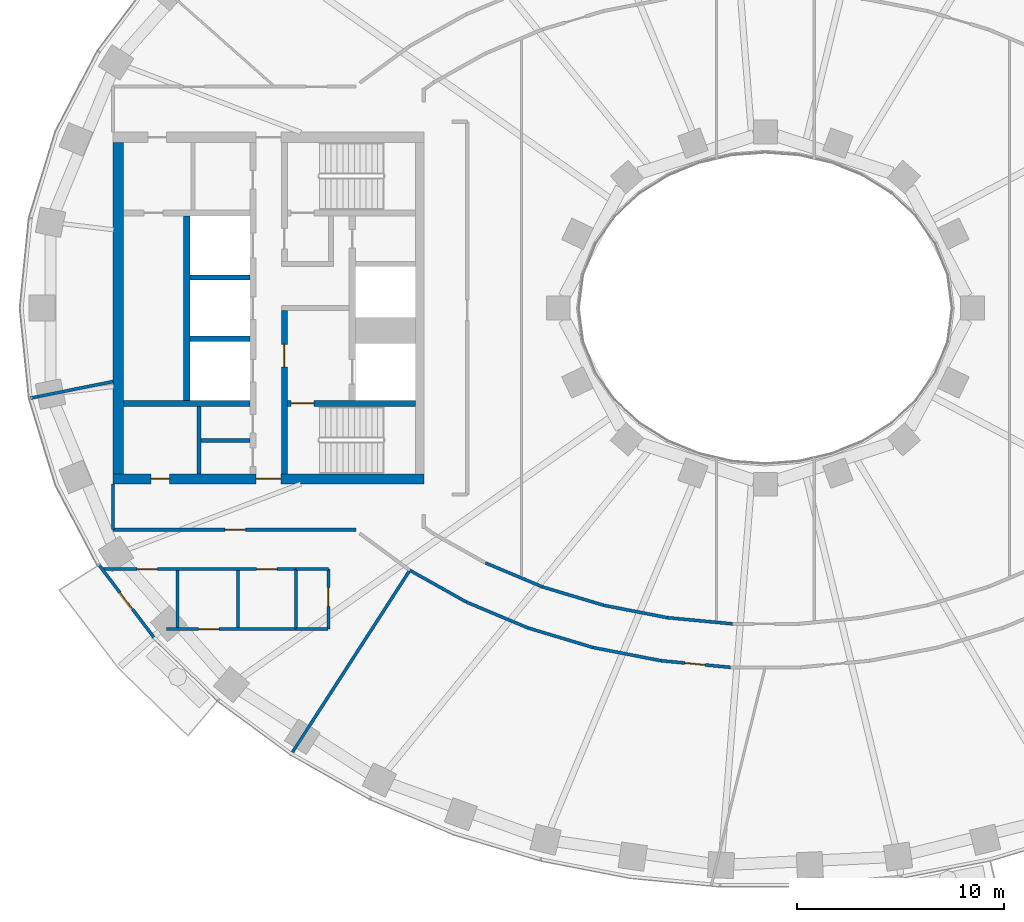
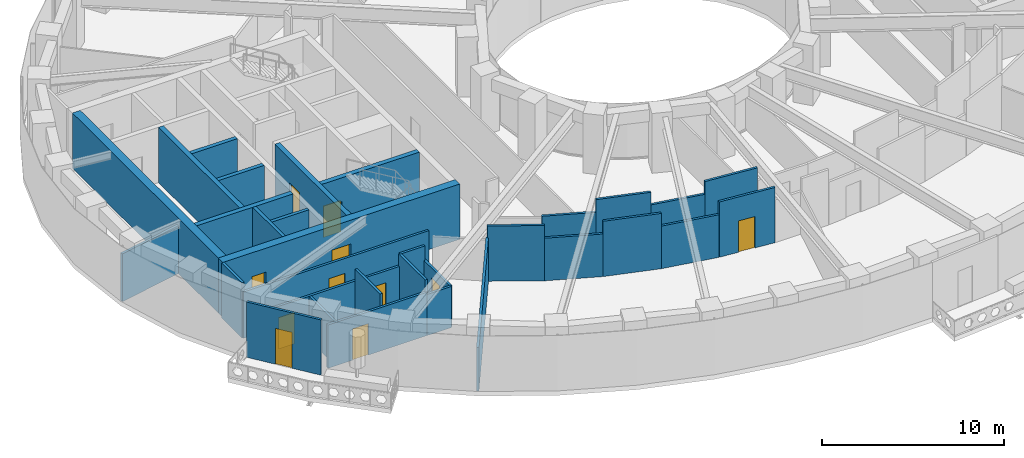
# One storey, part 3 of 16: 32 walls, 11 doors, 11 openings.
"""IFC4 building model written with IfcOpenShell, lengths in metres."""

import ifcopenshell
import ifcopenshell.guid

model = None  # the IFC model being written
_history = None  # IfcOwnerHistory: only IFC2X3 demands one
_inside = {}  # id of a spatial element -> (the spatial element, [elements in it])
_under = {}  # id of a project, library or spatial element -> (it, [spatial elements below it])
_declared = {}  # id of a project -> (the project, [libraries it declares])
_typed = {}  # id of a type object -> (the type object, [elements of that type])
_made_of = {}  # id of a material, layer set ... -> (it, [elements and type objects made of it])


def new_model(schema):
    """Start an empty IFC model of exactly this schema.

    Asked for "IFC4X3", IfcOpenShell would pick the latest addendum, in which some entities
    have other attributes; the version numbers below select the first issue.
    IFC2X3 requires an IfcOwnerHistory on every rooted entity: one is made here for all.
    """
    global model, _history
    if schema == "IFC4X3":
        model = ifcopenshell.file(schema_version=(4, 3, 0, 0))
    else:
        model = ifcopenshell.file(schema=schema)
    _inside.clear()
    _under.clear()
    _declared.clear()
    _typed.clear()
    _made_of.clear()
    _history = None
    if model.schema == "IFC2X3":
        org = make("IfcOrganization", Name="unknown")
        user = make(
            "IfcPersonAndOrganization",
            ThePerson=make("IfcPerson", FamilyName="unknown"),
            TheOrganization=org,
        )
        app = make(
            "IfcApplication",
            ApplicationDeveloper=org,
            Version="unknown",
            ApplicationFullName="unknown",
            ApplicationIdentifier="unknown",
        )
        _history = make(
            "IfcOwnerHistory",
            OwningUser=user,
            OwningApplication=app,
            ChangeAction="ADDED",
            CreationDate=0,
        )
    return model


def make(cls, **values):
    """One entity of the class cls with the attributes given. An attribute that is None is left unset."""
    return model.create_entity(
        cls, **{name: value for name, value in values.items() if value is not None}
    )


def rooted(cls, **values):
    """An entity with a GlobalId (a new one), such as an element, a storey or a relation."""
    return make(cls, GlobalId=ifcopenshell.guid.new(), OwnerHistory=_history, **values)


def si_unit(unit_type, name, prefix=None):
    """IfcSIUnit, for example si_unit("LENGTHUNIT", "METRE", prefix="MILLI")."""
    return make("IfcSIUnit", UnitType=unit_type, Prefix=prefix, Name=name)


def assignment(units):
    """IfcUnitAssignment: the units of a project."""
    return None if units is None else make("IfcUnitAssignment", Units=units)


def point(xyz):
    """IfcCartesianPoint."""
    return None if xyz is None else make("IfcCartesianPoint", Coordinates=xyz)


def direction(xyz):
    """IfcDirection."""
    return None if xyz is None else make("IfcDirection", DirectionRatios=xyz)


def frame(location, z_axis=None, x_axis=None):
    """IfcAxis2Placement3D, a coordinate frame: its origin and axes. An axis left out is left unset."""
    return make(
        "IfcAxis2Placement3D",
        Location=point(location),
        Axis=direction(z_axis),
        RefDirection=direction(x_axis),
    )


def frame_2d(location, x_axis=None):
    """IfcAxis2Placement2D, a coordinate frame in the plane: its origin and x axis."""
    return make(
        "IfcAxis2Placement2D", Location=point(location), RefDirection=direction(x_axis)
    )


def origin():
    """The frame at (0, 0, 0) with its axes left unset."""
    return frame((0.0, 0.0, 0.0))


def place(relative_to, where):
    """IfcLocalPlacement: puts the frame where relative to a parent placement (None: the world)."""
    return make(
        "IfcLocalPlacement", PlacementRelTo=relative_to, RelativePlacement=where
    )


def context(
    kind, dimensions, precision=None, world=None, true_north=None, identifier=None
):
    """IfcGeometricRepresentationContext, for example the 3D "Model" context."""
    return make(
        "IfcGeometricRepresentationContext",
        ContextIdentifier=identifier,
        ContextType=kind,
        CoordinateSpaceDimension=dimensions,
        Precision=precision,
        WorldCoordinateSystem=world,
        TrueNorth=true_north,
    )


def subcontext(parent, identifier, kind, view, scale=None):
    """IfcGeometricRepresentationSubContext, for example "Body" below "Model"."""
    return make(
        "IfcGeometricRepresentationSubContext",
        ContextIdentifier=identifier,
        ContextType=kind,
        ParentContext=parent,
        TargetScale=scale,
        TargetView=view,
    )


def project(units=None, contexts=None):
    """IfcProject with its units and contexts."""
    return rooted(
        "IfcProject",
        Name="project",
        RepresentationContexts=contexts,
        UnitsInContext=assignment(units),
    )


def spatial(cls, under=None, at=None, **own):
    """A site, building, storey or space (cls), placed at a placement, below another one or the project."""
    s = rooted(cls, ObjectPlacement=at, **own)
    if under is not None:
        _under.setdefault(under.id(), (under, []))[1].append(s)
    return s


def profile(cls, at=None, kind="AREA", **sizes):
    """A parametric profile (cls). Its sizes go by their IFC names, for example OverallWidth=200.0."""
    return make(cls, ProfileType=kind, Position=at, **sizes)


def rectangle(**sizes):
    """IfcRectangleProfileDef."""
    return profile("IfcRectangleProfileDef", **sizes)


def extrude(swept, where, along, depth):
    """IfcExtrudedAreaSolid: the profile swept, set in the frame where, extruded along a direction by depth."""
    return make(
        "IfcExtrudedAreaSolid",
        SweptArea=swept,
        Position=where,
        ExtrudedDirection=direction(along),
        Depth=depth,
    )


def shape(context_of_items, identifier, shape_type, items):
    """IfcShapeRepresentation: the items that make up one representation, for example the "Body"."""
    return make(
        "IfcShapeRepresentation",
        ContextOfItems=context_of_items,
        RepresentationIdentifier=identifier,
        RepresentationType=shape_type,
        Items=items,
    )


def material(Name=None, Category=None):
    """IfcMaterial."""
    return make("IfcMaterial", Name=Name, Category=Category)


def layer(
    of_material, thickness, ventilated=None, Name=None, Category=None, Priority=None
):
    """IfcMaterialLayer: one layer of a wall or slab, of a material (None: an air gap)."""
    return make(
        "IfcMaterialLayer",
        Material=of_material,
        LayerThickness=thickness,
        IsVentilated=ventilated,
        Name=Name,
        Category=Category,
        Priority=Priority,
    )


def layer_set(layers, Name=None):
    """IfcMaterialLayerSet."""
    return make("IfcMaterialLayerSet", MaterialLayers=layers, LayerSetName=Name)


def made_of(thing, what):
    """Note that an element or type object is made of a material, layer set ...; save() writes the relation."""
    if what is not None:
        _made_of.setdefault(what.id(), (what, []))[1].append(thing)
    return thing


def type_object(cls, material=None, **own):
    """A type object (cls), such as IfcWallType, which elements share."""
    return made_of(rooted(cls, **own), material)


def element(
    cls,
    number,
    at=None,
    inside=None,
    cuts=None,
    type_object=None,
    material=None,
    context=None,
    identifier="Body",
    shape_type=None,
    held_by="IfcProductDefinitionShape",
    body=None,
    shapes=None,
    **own,
):
    """One element of the class cls, such as IfcWall. Its Tag is "e" and its number.

    at: its placement. inside: the storey or other place that contains it. cuts: it is an
    opening in that element (IfcRelVoidsElement). A single representation is given by context,
    identifier, shape_type and body (its items); several are given by shapes. held_by: the class
    of the entity that holds the representations. save() writes the other relations.
    """
    e = rooted(cls, Tag="e%d" % number, ObjectPlacement=at, **own)
    if body is not None:
        shapes = [shape(context, identifier, shape_type, body)]
    if shapes is not None:
        e.Representation = make(held_by, Representations=shapes)
    if inside is not None:
        _inside.setdefault(inside.id(), (inside, []))[1].append(e)
    if cuts is not None:
        rooted(
            "IfcRelVoidsElement", RelatingBuildingElement=cuts, RelatedOpeningElement=e
        )
    if type_object is not None:
        _typed.setdefault(type_object.id(), (type_object, []))[1].append(e)
    return made_of(e, material)


def fill(opening, filler):
    """IfcRelFillsElement: the door or window that sits in an opening."""
    return rooted(
        "IfcRelFillsElement",
        RelatingOpeningElement=opening,
        RelatedBuildingElement=filler,
    )


def aggregate(whole, parts):
    """IfcRelAggregates: a whole, such as a stair, and the parts it consists of."""
    return rooted("IfcRelAggregates", RelatingObject=whole, RelatedObjects=parts)


def save(model, path):
    """Write the relations noted so far, then the file.

    IfcRelAggregates (storeys below a building ...), IfcRelContainedInSpatialStructure (elements
    in a storey), IfcRelDefinesByType, IfcRelAssociatesMaterial and IfcRelDeclares: one each for
    every whole, place, type object, material and project.
    """
    for whole, parts in _under.values():
        aggregate(whole, parts)
    for where, things in _inside.values():
        rooted(
            "IfcRelContainedInSpatialStructure",
            RelatedElements=things,
            RelatingStructure=where,
        )
    for kind, things in _typed.values():
        rooted("IfcRelDefinesByType", RelatedObjects=things, RelatingType=kind)
    for what, things in _made_of.values():
        rooted("IfcRelAssociatesMaterial", RelatedObjects=things, RelatingMaterial=what)
    for by, libraries in _declared.values():
        rooted("IfcRelDeclares", RelatingContext=by, RelatedDefinitions=libraries)
    model.write(path)


model = new_model("IFC4")

# Units and contexts
model_context = context("Model", 3, precision=1e-05, world=origin(), true_north=direction((0.0, 1.0)))
body_context = subcontext(model_context, "Body", "Model", "MODEL_VIEW")
ifc_project = project(units=[si_unit("LENGTHUNIT", "METRE"), si_unit("AREAUNIT", "SQUARE_METRE"), si_unit("VOLUMEUNIT", "CUBIC_METRE"), si_unit("PLANEANGLEUNIT", "RADIAN"), si_unit("MASSUNIT", "GRAM", prefix="KILO")], contexts=[model_context])

# Site, building, storey
site_placement = place(None, origin())
site = spatial("IfcSite", under=ifc_project, at=site_placement, CompositionType="ELEMENT")
building_placement = place(site_placement, origin())
building = spatial("IfcBuilding", under=site, at=building_placement, Name="Noorbagh Ring Tower", CompositionType="ELEMENT")
storey_placement = place(building_placement, frame((0.0, 0.0, 132.0)))
storey = spatial("IfcBuildingStorey", under=building, at=storey_placement, Name="L30", CompositionType="ELEMENT", Elevation=132.0)

# Walls
ifc_material_1 = material(Name="Gypsum board on steel studs", Category="steel")
ifc_layer_1 = layer(ifc_material_1, 0.14990234375)
ifc_layer_set_1 = layer_set([ifc_layer_1], Name="Gypsum board on steel studs")
wall_type_1 = type_object("IfcWallType", Name="COMPARTMENT PARTITION 150 EI 60", PredefinedType="PARTITIONING", material=ifc_layer_set_1)
wall_1_placement = place(storey_placement, frame((-22.6689453125, -15.5, 0.0), z_axis=(0.0, 0.0, 1.0), x_axis=(0.0, 1.0, 0.0)))
element("IfcWall", 1, at=wall_1_placement, inside=storey, type_object=wall_type_1, Name="L30/wall/P12", PredefinedType="PARTITIONING", context=body_context, shape_type="SweptSolid", body=[
    extrude(rectangle(XDim=2.89990234375, YDim=0.14990234375, at=frame_2d((1.449951171875, 0.0))), origin(), (0.0, 0.0, 1.0), 3.699951171875),
])
wall_2_placement = place(storey_placement, frame((-22.6689453125, -15.5, 0.0), z_axis=(0.0, 0.0, 1.0), x_axis=(1.0, 0.0, 0.0)))
element("IfcWall", 2, at=wall_2_placement, inside=storey, type_object=wall_type_1, Name="L30/wall/P13", PredefinedType="PARTITIONING", context=body_context, shape_type="SweptSolid", body=[
    extrude(rectangle(XDim=1.554931640625, YDim=0.14990234375, at=frame_2d((0.77734375, 0.0))), origin(), (0.0, 0.0, 1.0), 2.75),
])
wall_3_placement = place(storey_placement, frame((-22.6689453125, -12.60009765625, 0.0), z_axis=(0.0, 0.0, 1.0), x_axis=(1.0, 0.0, 0.0)))
element("IfcWall", 3, at=wall_3_placement, inside=storey, type_object=wall_type_1, Name="L30/wall/P14", PredefinedType="PARTITIONING", context=body_context, shape_type="SweptSolid", body=[
    extrude(rectangle(XDim=1.558837890625, YDim=0.14990234375, at=frame_2d((0.779296875, 0.0))), origin(), (0.0, 0.0, 1.0), 3.699951171875),
])

# Wall, opening, door
wall_4_placement = place(storey_placement, frame((-21.110107421875, -15.49609375, 0.0), z_axis=(0.0, 0.0, 1.0), x_axis=(0.0, 1.0, 0.0)))
wall_4 = element("IfcWall", 4, at=wall_4_placement, inside=storey, type_object=wall_type_1, Name="L30/wall/P15", PredefinedType="PARTITIONING", context=body_context, shape_type="SweptSolid", body=[
    extrude(rectangle(XDim=2.89599609375, YDim=0.14990234375, at=frame_2d((1.447998046875, 0.0))), origin(), (0.0, 0.0, 1.0), 2.75),
])
opening_1_placement = place(wall_4_placement, frame((1.095947265625, 0.0, 0.0)))
opening_1 = element("IfcOpeningElement", 5, at=opening_1_placement, cuts=wall_4, Name="Opening D4", PredefinedType="OPENING", context=body_context, shape_type="SweptSolid", body=[
    extrude(rectangle(XDim=0.89990234375, YDim=2.10009765625, at=frame_2d((0.449951171875, 1.050048828125))), frame((0.0, 0.0849609375, 0.0), z_axis=(0.0, -1.0, 0.0), x_axis=(1.0, 0.0, 0.0)), (0.0, 0.0, 1.0), 0.169921875),
])
ifc_material_2 = material(Name="Timber, painted", Category="wood")
door_type_1 = type_object("IfcDoorType", Name="DOOR 900 X 2100 FD60", OperationType="SINGLE_SWING_LEFT", PredefinedType="DOOR", material=ifc_material_2)
door_1_placement = place(opening_1_placement, origin())
door_1 = element("IfcDoor", 6, at=door_1_placement, inside=storey, type_object=door_type_1, Name="L30-D05", OperationType="SINGLE_SWING_LEFT", OverallHeight=2.10009765625, OverallWidth=0.89990234375, PredefinedType="DOOR", context=body_context, shape_type="SweptSolid", body=[
    extrude(rectangle(XDim=0.89990234375, YDim=2.10009765625, at=frame_2d((0.449951171875, 1.050048828125))), frame((0.0, 0.02490234375, 0.0), z_axis=(0.0, -1.0, 0.0), x_axis=(1.0, 0.0, 0.0)), (0.0, 0.0, 1.0), 0.050048828125),
])
fill(opening_1, door_1)

# Walls
ifc_material_3 = material(Name="Gypsum board on steel studs", Category="steel")
ifc_layer_2 = layer(ifc_material_3, 0.199951171875)
ifc_layer_set_2 = layer_set([ifc_layer_2], Name="Gypsum board on steel studs")
wall_type_2 = type_object("IfcWallType", Name="CORE-PARTITION-200", PredefinedType="PARTITIONING", material=ifc_layer_set_2)
wall_5_placement = place(storey_placement, frame((-27.35009765625, -8.0, 0.0), z_axis=(0.0, 0.0, 1.0), x_axis=(0.0, 1.0, 0.0)))
element("IfcWall", 7, at=wall_5_placement, inside=storey, type_object=wall_type_2, Name="Core partition W", PredefinedType="PARTITIONING", context=body_context, shape_type="SweptSolid", body=[
    extrude(rectangle(XDim=3.25, YDim=0.199951171875, at=frame_2d((1.625, 0.0))), origin(), (0.0, 0.0, 1.0), 3.699951171875),
])
wall_6_placement = place(storey_placement, frame((-24.89990234375, -6.39990234375, 0.0), z_axis=(0.0, 0.0, 1.0), x_axis=(-1.0, 0.0, 0.0)))
element("IfcWall", 8, at=wall_6_placement, inside=storey, type_object=wall_type_2, Name="Core partition W", PredefinedType="PARTITIONING", context=body_context, shape_type="SweptSolid", body=[
    extrude(rectangle(XDim=2.35009765625, YDim=0.199951171875, at=frame_2d((1.175048828125, 0.0))), origin(), (0.0, 0.0, 1.0), 3.699951171875),
])
ifc_material_4 = material(Name="Concrete C70/85", Category="concrete")
ifc_layer_3 = layer(ifc_material_4, 0.25)
ifc_layer_set_3 = layer_set([ifc_layer_3], Name="Concrete C70/85")
wall_type_3 = type_object("IfcWallType", Name="CORE-WALL-250-C70-85-EI120", PredefinedType="SHEAR", material=ifc_layer_set_3)
for number, where, z_axis, x_axis, name in (
    (9, (-24.89990234375, -1.47509765625, 0.0), (0.0, 0.0, 1.0), (-1.0, 0.0, 0.0), "Core wall W"),
    (10, (-24.89990234375, 1.47509765625, 0.0), (0.0, 0.0, 1.0), (-1.0, 0.0, 0.0), "Core wall W"),
):
    element("IfcWall", number, at=place(storey_placement, frame(where, z_axis=z_axis, x_axis=x_axis)), inside=storey, type_object=wall_type_3, Name=name, PredefinedType="SHEAR", context=body_context, shape_type="SweptSolid", body=[
        extrude(rectangle(XDim=2.900146484375, YDim=0.25, at=frame_2d((1.4501953125, 0.0))), origin(), (0.0, 0.0, 1.0), 3.699951171875),
    ])
ifc_material_5 = material(Name="Concrete C70/85", Category="concrete")
ifc_layer_4 = layer(ifc_material_5, 0.300048828125)
ifc_layer_set_4 = layer_set([ifc_layer_4], Name="Concrete C70/85")
wall_type_4 = type_object("IfcWallType", Name="CORE-WALL-300-C70-85-EI120", PredefinedType="SHEAR", material=ifc_layer_set_4)
wall_7_placement = place(storey_placement, frame((-27.949951171875, -4.449951171875, 0.0), z_axis=(0.0, 0.0, 1.0), x_axis=(0.0, 1.0, 0.0)))
element("IfcWall", 11, at=wall_7_placement, inside=storey, type_object=wall_type_4, Name="Core wall W", PredefinedType="SHEAR", context=body_context, shape_type="SweptSolid", body=[
    extrude(rectangle(XDim=8.89990234375, YDim=0.300048828125, at=frame_2d((4.449951171875, 0.0))), origin(), (0.0, 0.0, 1.0), 3.699951171875),
])
ifc_material_6 = material(Name="Concrete C70/85", Category="concrete")
ifc_layer_5 = layer(ifc_material_6, 0.300048828125)
ifc_layer_set_5 = layer_set([ifc_layer_5], Name="Concrete C70/85")
wall_type_5 = type_object("IfcWallType", Name="CORE-WALL-300-C70-85-EI240", PredefinedType="SHEAR", material=ifc_layer_set_5)
wall_8_placement = place(storey_placement, frame((-24.89990234375, -4.60009765625, 0.0), z_axis=(0.0, 0.0, 1.0), x_axis=(-1.0, 0.0, 0.0)))
element("IfcWall", 12, at=wall_8_placement, inside=storey, type_object=wall_type_5, Name="Core wall W", PredefinedType="SHEAR", context=body_context, shape_type="SweptSolid", body=[
    extrude(rectangle(XDim=6.10009765625, YDim=0.300048828125, at=frame_2d((3.050048828125, 0.0))), origin(), (0.0, 0.0, 1.0), 3.699951171875),
])

# Wall, opening, door
wall_9_placement = place(storey_placement, frame((-23.22998046875, -8.0, 0.0), z_axis=(0.0, 0.0, 1.0), x_axis=(0.0, 1.0, 0.0)))
wall_9 = element("IfcWall", 13, at=wall_9_placement, inside=storey, type_object=wall_type_5, Name="Core wall W", PredefinedType="SHEAR", context=body_context, shape_type="SweptSolid", body=[
    extrude(rectangle(XDim=7.875, YDim=0.300048828125, at=frame_2d((3.9375, 0.0))), origin(), (0.0, 0.0, 1.0), 3.699951171875),
])
opening_2_placement = place(wall_9_placement, frame((5.14990234375, 0.0, 0.0)))
opening_2 = element("IfcOpeningElement", 14, at=opening_2_placement, cuts=wall_9, Name="Opening L30-CW07", PredefinedType="OPENING", context=body_context, shape_type="SweptSolid", body=[
    extrude(rectangle(XDim=1.10009765625, YDim=2.10009765625, at=frame_2d((0.550048828125, 1.050048828125))), frame((0.0, 0.16015625, 0.0), z_axis=(0.0, -1.0, 0.0), x_axis=(1.0, 0.0, 0.0)), (0.0, 0.0, 1.0), 0.320068359375),
])
ifc_material_7 = material(Name="Steel door leaf", Category="steel")
door_type_2 = type_object("IfcDoorType", Name="CORE-DOOR-DFF", OperationType="SINGLE_SWING_LEFT", PredefinedType="DOOR", material=ifc_material_7)
door_2_placement = place(opening_2_placement, origin())
door_2 = element("IfcDoor", 15, at=door_2_placement, inside=storey, type_object=door_type_2, Name="Firefighting lobby door L30-CW07", OperationType="SINGLE_SWING_LEFT", OverallHeight=2.10009765625, OverallWidth=1.10009765625, PredefinedType="DOOR", context=body_context, shape_type="SweptSolid", body=[
    extrude(rectangle(XDim=1.10009765625, YDim=2.10009765625, at=frame_2d((0.550048828125, 1.050048828125))), frame((0.0, 0.02490234375, 0.0), z_axis=(0.0, -1.0, 0.0), x_axis=(1.0, 0.0, 0.0)), (0.0, 0.0, 1.0), 0.050048828125),
])
fill(opening_2, door_2)

wall_10_placement = place(storey_placement, frame((-16.89990234375, -4.60009765625, 0.0), z_axis=(0.0, 0.0, 1.0), x_axis=(-1.0, 0.0, 0.0)))
wall_10 = element("IfcWall", 16, at=wall_10_placement, inside=storey, type_object=wall_type_5, Name="Core wall W", PredefinedType="SHEAR", context=body_context, shape_type="SweptSolid", body=[
    extrude(rectangle(XDim=6.18017578125, YDim=0.300048828125, at=frame_2d((3.090087890625, 0.0))), origin(), (0.0, 0.0, 1.0), 3.699951171875),
])
opening_3_placement = place(wall_10_placement, frame((4.89990234375, 0.0, 0.0)))
opening_3 = element("IfcOpeningElement", 17, at=opening_3_placement, cuts=wall_10, Name="Opening L30-CW06", PredefinedType="OPENING", context=body_context, shape_type="SweptSolid", body=[
    extrude(rectangle(XDim=1.10009765625, YDim=2.10009765625, at=frame_2d((0.550048828125, 1.050048828125))), frame((0.0, 0.16015625, 0.0), z_axis=(0.0, -1.0, 0.0), x_axis=(1.0, 0.0, 0.0)), (0.0, 0.0, 1.0), 0.320068359375),
])
ifc_material_8 = material(Name="Steel door leaf", Category="steel")
door_type_3 = type_object("IfcDoorType", Name="CORE-DOOR-DSTAIR", OperationType="SINGLE_SWING_LEFT", PredefinedType="DOOR", material=ifc_material_8)
door_3_placement = place(opening_3_placement, origin())
door_3 = element("IfcDoor", 18, at=door_3_placement, inside=storey, type_object=door_type_3, Name="Stair door ST2 L30-CW06", OperationType="SINGLE_SWING_LEFT", OverallHeight=2.10009765625, OverallWidth=1.10009765625, PredefinedType="DOOR", context=body_context, shape_type="SweptSolid", body=[
    extrude(rectangle(XDim=1.10009765625, YDim=2.10009765625, at=frame_2d((0.550048828125, 1.050048828125))), frame((0.0, 0.02490234375, 0.0), z_axis=(0.0, -1.0, 0.0), x_axis=(1.0, 0.0, 0.0)), (0.0, 0.0, 1.0), 0.050048828125),
])
fill(opening_3, door_3)

# Wall, openings, doors
ifc_material_9 = material(Name="Concrete C70/85", Category="concrete")
ifc_layer_6 = layer(ifc_material_9, 0.5)
ifc_layer_set_6 = layer_set([ifc_layer_6], Name="Concrete C70/85")
wall_type_6 = type_object("IfcWallType", Name="CORE-WALL-500-C70-85-EI240", PredefinedType="SHEAR", material=ifc_layer_set_6)
wall_11_placement = place(storey_placement, frame((-16.5, -8.25, 0.0), z_axis=(0.0, 0.0, 1.0), x_axis=(-1.0, 0.0, 0.0)))
wall_11 = element("IfcWall", 19, at=wall_11_placement, inside=storey, type_object=wall_type_6, Name="Core wall W", PredefinedType="SHEAR", context=body_context, shape_type="SweptSolid", body=[
    extrude(rectangle(XDim=15.0, YDim=0.5, at=frame_2d((7.5, 0.0))), origin(), (0.0, 0.0, 1.0), 3.699951171875),
])
opening_4_placement = place(wall_11_placement, frame((6.89990234375, 0.0, 0.0)))
opening_4 = element("IfcOpeningElement", 20, at=opening_4_placement, cuts=wall_11, Name="Opening L30-CW10", PredefinedType="OPENING", context=body_context, shape_type="SweptSolid", body=[
    extrude(rectangle(XDim=1.199951171875, YDim=2.10009765625, at=frame_2d((0.60009765625, 1.050048828125))), frame((0.0, 0.260009765625, 0.0), z_axis=(0.0, -1.0, 0.0), x_axis=(1.0, 0.0, 0.0)), (0.0, 0.0, 1.0), 0.52001953125),
])
opening_5_placement = place(wall_11_placement, frame((12.27490234375, 0.0, 0.0)))
opening_5 = element("IfcOpeningElement", 21, at=opening_5_placement, cuts=wall_11, Name="Opening L30-CW16", PredefinedType="OPENING", context=body_context, shape_type="SweptSolid", body=[
    extrude(rectangle(XDim=0.89990234375, YDim=2.10009765625, at=frame_2d((0.449951171875, 1.050048828125))), frame((0.0, 0.260009765625, 0.0), z_axis=(0.0, -1.0, 0.0), x_axis=(1.0, 0.0, 0.0)), (0.0, 0.0, 1.0), 0.52001953125),
])
ifc_material_10 = material(Name="Steel door leaf", Category="steel")
door_type_4 = type_object("IfcDoorType", Name="CORE-DOOR-DROOM", OperationType="SINGLE_SWING_LEFT", PredefinedType="DOOR", material=ifc_material_10)
door_4_placement = place(opening_5_placement, origin())
door_4 = element("IfcDoor", 22, at=door_4_placement, inside=storey, type_object=door_type_4, Name="Core room door L30-CW16", OperationType="SINGLE_SWING_LEFT", OverallHeight=2.10009765625, OverallWidth=0.89990234375, PredefinedType="DOOR", context=body_context, shape_type="SweptSolid", body=[
    extrude(rectangle(XDim=0.89990234375, YDim=2.10009765625, at=frame_2d((0.449951171875, 1.050048828125))), frame((0.0, 0.02490234375, 0.0), z_axis=(0.0, -1.0, 0.0), x_axis=(1.0, 0.0, 0.0)), (0.0, 0.0, 1.0), 0.050048828125),
])
fill(opening_5, door_4)
ifc_material_11 = material(Name="Steel door leaf", Category="steel")
door_type_5 = type_object("IfcDoorType", Name="CORE-DOOR-PORT", OperationType="DOUBLE_DOOR_DOUBLE_SWING", PredefinedType="DOOR", material=ifc_material_11)
door_5_placement = place(opening_4_placement, origin())
door_5 = element("IfcDoor", 23, at=door_5_placement, inside=storey, type_object=door_type_5, Name="Core entrance door L30-CW10", OperationType="DOUBLE_DOOR_DOUBLE_SWING", OverallHeight=2.10009765625, OverallWidth=1.199951171875, PredefinedType="DOOR", context=body_context, shape_type="SweptSolid", body=[
    extrude(rectangle(XDim=1.199951171875, YDim=2.10009765625, at=frame_2d((0.60009765625, 1.050048828125))), frame((0.0, 0.02490234375, 0.0), z_axis=(0.0, -1.0, 0.0), x_axis=(1.0, 0.0, 0.0)), (0.0, 0.0, 1.0), 0.050048828125),
])
fill(opening_4, door_5)

# Walls
wall_12_placement = place(storey_placement, frame((-31.25, -8.0, 0.0), z_axis=(0.0, 0.0, 1.0), x_axis=(0.0, 1.0, 0.0)))
element("IfcWall", 24, at=wall_12_placement, inside=storey, type_object=wall_type_6, Name="Core wall W", PredefinedType="SHEAR", context=body_context, shape_type="SweptSolid", body=[
    extrude(rectangle(XDim=16.0, YDim=0.5, at=frame_2d((8.0, 0.0))), origin(), (0.0, 0.0, 1.0), 3.699951171875),
])
ifc_material_12 = material(Name="Gypsum board on steel studs", Category="steel")
ifc_layer_7 = layer(ifc_material_12, 0.14990234375)
ifc_layer_set_7 = layer_set([ifc_layer_7], Name="Gypsum board on steel studs")
wall_type_7 = type_object("IfcWallType", Name="CORRIDOR PARTITION 150 EI 30", PredefinedType="PARTITIONING", material=ifc_layer_set_7)
wall_13_placement = place(storey_placement, frame((-35.511962890625, -4.34912109375, 0.0), z_axis=(0.0, 0.0, 1.0), x_axis=(0.980357474535, 0.197228857227, 0.0)))
element("IfcWall", 25, at=wall_13_placement, inside=storey, type_object=wall_type_7, Name="L30/wall/P01", PredefinedType="PARTITIONING", context=body_context, shape_type="SweptSolid", body=[
    extrude(rectangle(XDim=4.09228515625, YDim=0.14990234375, at=frame_2d((2.046142578125, 0.0))), origin(), (0.0, 0.0, 1.0), 3.199951171875),
])

# Wall, openings, doors
wall_14_placement = place(storey_placement, frame((-32.06298828125, -12.60009765625, 0.0), z_axis=(0.0, 0.0, 1.0), x_axis=(1.0, 0.0, 0.0)))
wall_14 = element("IfcWall", 26, at=wall_14_placement, inside=storey, type_object=wall_type_7, Name="L30/wall/P02", PredefinedType="PARTITIONING", context=body_context, shape_type="SweptSolid", body=[
    extrude(rectangle(XDim=9.39404296875, YDim=0.14990234375, at=frame_2d((4.697021484375, 0.0))), origin(), (0.0, 0.0, 1.0), 2.89990234375),
])
opening_6_placement = place(wall_14_placement, frame((1.712890625, 0.0, 0.0)))
opening_6 = element("IfcOpeningElement", 27, at=opening_6_placement, cuts=wall_14, Name="Opening D3", PredefinedType="OPENING", context=body_context, shape_type="SweptSolid", body=[
    extrude(rectangle(XDim=1.0, YDim=2.10009765625, at=frame_2d((0.5, 1.050048828125))), frame((0.0, 0.0849609375, 0.0), z_axis=(0.0, -1.0, 0.0), x_axis=(1.0, 0.0, 0.0)), (0.0, 0.0, 1.0), 0.169921875),
])
opening_7_placement = place(wall_14_placement, frame((7.486083984375, 0.0, 0.0)))
opening_7 = element("IfcOpeningElement", 28, at=opening_7_placement, cuts=wall_14, Name="Opening D3", PredefinedType="OPENING", context=body_context, shape_type="SweptSolid", body=[
    extrude(rectangle(XDim=1.0, YDim=2.10009765625, at=frame_2d((0.5, 1.050048828125))), frame((0.0, 0.0849609375, 0.0), z_axis=(0.0, -1.0, 0.0), x_axis=(1.0, 0.0, 0.0)), (0.0, 0.0, 1.0), 0.169921875),
])
ifc_material_13 = material(Name="Timber, painted", Category="wood")
door_type_6 = type_object("IfcDoorType", Name="DOOR 1000 X 2100 WC", OperationType="SINGLE_SWING_LEFT", PredefinedType="DOOR", material=ifc_material_13)
door_6_placement = place(opening_6_placement, origin())
door_6 = element("IfcDoor", 29, at=door_6_placement, inside=storey, type_object=door_type_6, Name="L30-D02", OperationType="SINGLE_SWING_RIGHT", OverallHeight=2.10009765625, OverallWidth=1.0, PredefinedType="DOOR", context=body_context, shape_type="SweptSolid", body=[
    extrude(rectangle(XDim=1.0, YDim=2.10009765625, at=frame_2d((0.5, 1.050048828125))), frame((0.0, 0.02490234375, 0.0), z_axis=(0.0, -1.0, 0.0), x_axis=(1.0, 0.0, 0.0)), (0.0, 0.0, 1.0), 0.050048828125),
])
fill(opening_6, door_6)
door_7_placement = place(opening_7_placement, origin())
door_7 = element("IfcDoor", 30, at=door_7_placement, inside=storey, type_object=door_type_6, Name="L30-D04", OperationType="SINGLE_SWING_RIGHT", OverallHeight=2.10009765625, OverallWidth=1.0, PredefinedType="DOOR", context=body_context, shape_type="SweptSolid", body=[
    extrude(rectangle(XDim=1.0, YDim=2.10009765625, at=frame_2d((0.5, 1.050048828125))), frame((0.0, 0.02490234375, 0.0), z_axis=(0.0, -1.0, 0.0), x_axis=(1.0, 0.0, 0.0)), (0.0, 0.0, 1.0), 0.050048828125),
])
fill(opening_7, door_7)

# Wall
wall_15_placement = place(storey_placement, frame((-31.5, -10.699951171875, 0.0), z_axis=(0.0, 0.0, 1.0), x_axis=(0.0, 1.0, 0.0)))
element("IfcWall", 31, at=wall_15_placement, inside=storey, type_object=wall_type_7, Name="L30/wall/P03", PredefinedType="PARTITIONING", context=body_context, shape_type="SweptSolid", body=[
    extrude(rectangle(XDim=2.199951171875, YDim=0.14990234375, at=frame_2d((1.10009765625, 0.0))), origin(), (0.0, 0.0, 1.0), 3.699951171875),
])

# Wall, opening, door
wall_16_placement = place(storey_placement, frame((-31.5, -10.699951171875, 0.0), z_axis=(0.0, 0.0, 1.0), x_axis=(1.0, 0.0, 0.0)))
wall_16 = element("IfcWall", 32, at=wall_16_placement, inside=storey, type_object=wall_type_7, Name="L30/wall/P04", PredefinedType="PARTITIONING", context=body_context, shape_type="SweptSolid", body=[
    extrude(rectangle(XDim=11.722900390625, YDim=0.14990234375, at=frame_2d((5.861328125, 0.0))), origin(), (0.0, 0.0, 1.0), 3.10009765625),
])
opening_8_placement = place(wall_16_placement, frame((5.39990234375, 0.0, 0.0)))
opening_8 = element("IfcOpeningElement", 33, at=opening_8_placement, cuts=wall_16, Name="Opening D1", PredefinedType="OPENING", context=body_context, shape_type="SweptSolid", body=[
    extrude(rectangle(XDim=1.0, YDim=2.10009765625, at=frame_2d((0.5, 1.050048828125))), frame((0.0, 0.0849609375, 0.0), z_axis=(0.0, -1.0, 0.0), x_axis=(1.0, 0.0, 0.0)), (0.0, 0.0, 1.0), 0.169921875),
])
ifc_material_14 = material(Name="Timber, painted", Category="wood")
door_type_7 = type_object("IfcDoorType", Name="DOOR 1000 X 2100 FD30", OperationType="SINGLE_SWING_LEFT", PredefinedType="DOOR", material=ifc_material_14)
door_8_placement = place(opening_8_placement, origin())
door_8 = element("IfcDoor", 34, at=door_8_placement, inside=storey, type_object=door_type_7, Name="L30-D01", OperationType="SINGLE_SWING_LEFT", OverallHeight=2.10009765625, OverallWidth=1.0, PredefinedType="DOOR", context=body_context, shape_type="SweptSolid", body=[
    extrude(rectangle(XDim=1.0, YDim=2.10009765625, at=frame_2d((0.5, 1.050048828125))), frame((0.0, 0.02490234375, 0.0), z_axis=(0.0, -1.0, 0.0), x_axis=(1.0, 0.0, 0.0)), (0.0, 0.0, 1.0), 0.050048828125),
])
fill(opening_8, door_8)

wall_17_placement = place(storey_placement, frame((-28.932861328125, -15.5, 0.0), z_axis=(0.0, 0.0, 1.0), x_axis=(1.0, 0.0, 0.0)))
wall_17 = element("IfcWall", 35, at=wall_17_placement, inside=storey, type_object=wall_type_7, Name="L30/wall/P07", PredefinedType="PARTITIONING", context=body_context, shape_type="SweptSolid", body=[
    extrude(rectangle(XDim=6.263916015625, YDim=0.14990234375, at=frame_2d((3.1318359375, 0.0))), origin(), (0.0, 0.0, 1.0), 2.89990234375),
])
opening_9_placement = place(wall_17_placement, frame((1.5556640625, 0.0, 0.0)))
opening_9 = element("IfcOpeningElement", 36, at=opening_9_placement, cuts=wall_17, Name="Opening D3", PredefinedType="OPENING", context=body_context, shape_type="SweptSolid", body=[
    extrude(rectangle(XDim=1.0, YDim=2.10009765625, at=frame_2d((0.5, 1.050048828125))), frame((0.0, 0.0849609375, 0.0), z_axis=(0.0, -1.0, 0.0), x_axis=(1.0, 0.0, 0.0)), (0.0, 0.0, 1.0), 0.169921875),
])
door_9_placement = place(opening_9_placement, origin())
door_9 = element("IfcDoor", 37, at=door_9_placement, inside=storey, type_object=door_type_6, Name="L30-D03", OperationType="SINGLE_SWING_LEFT", OverallHeight=2.10009765625, OverallWidth=1.0, PredefinedType="DOOR", context=body_context, shape_type="SweptSolid", body=[
    extrude(rectangle(XDim=1.0, YDim=2.10009765625, at=frame_2d((0.5, 1.050048828125))), frame((0.0, 0.02490234375, 0.0), z_axis=(0.0, -1.0, 0.0), x_axis=(1.0, 0.0, 0.0)), (0.0, 0.0, 1.0), 0.050048828125),
])
fill(opening_9, door_9)

# Walls
wall_18_placement = place(storey_placement, frame((-28.389892578125, -15.425048828125, 0.0), z_axis=(0.0, 0.0, 1.0), x_axis=(0.0, 1.0, 0.0)))
element("IfcWall", 38, at=wall_18_placement, inside=storey, type_object=wall_type_7, Name="L30/wall/P09", PredefinedType="PARTITIONING", context=body_context, shape_type="SweptSolid", body=[
    extrude(rectangle(XDim=2.75, YDim=0.14990234375, at=frame_2d((1.375, 0.0))), origin(), (0.0, 0.0, 1.0), 2.89990234375),
])
wall_19_placement = place(storey_placement, frame((-25.47705078125, -15.425048828125, 0.0), z_axis=(0.0, 0.0, 1.0), x_axis=(0.0, 1.0, 0.0)))
element("IfcWall", 39, at=wall_19_placement, inside=storey, type_object=wall_type_7, Name="L30/wall/P10", PredefinedType="PARTITIONING", context=body_context, shape_type="SweptSolid", body=[
    extrude(rectangle(XDim=2.75, YDim=0.14990234375, at=frame_2d((1.375, 0.0))), origin(), (0.0, 0.0, 1.0), 3.699951171875),
])
wall_20_placement = place(storey_placement, frame((-22.905029296875, -21.5419921875, 0.0), z_axis=(0.0, 0.0, 1.0), x_axis=(0.542214233103, 0.840240278385, 0.0)))
element("IfcWall", 40, at=wall_20_placement, inside=storey, type_object=wall_type_7, Name="L30/wall/P11", PredefinedType="PARTITIONING", context=body_context, shape_type="SweptSolid", body=[
    extrude(rectangle(XDim=10.56591796875, YDim=0.14990234375, at=frame_2d((5.282958984375, 0.0))), origin(), (0.0, 0.0, 1.0), 2.89990234375),
])
wall_21_placement = place(storey_placement, frame((-17.173095703125, -12.660888671875, 0.0), z_axis=(0.0, 0.0, 1.0), x_axis=(0.872054495499, -0.489408783003, 0.0)))
element("IfcWall", 41, at=wall_21_placement, inside=storey, type_object=wall_type_7, Name="L30/wall/P18", PredefinedType="PARTITIONING", context=body_context, shape_type="SweptSolid", body=[
    extrude(rectangle(XDim=3.128173828125, YDim=0.14990234375, at=frame_2d((1.56396484375, 0.0))), origin(), (0.0, 0.0, 1.0), 3.699951171875),
])
wall_22_placement = place(storey_placement, frame((-14.445068359375, -14.19189453125, 0.0), z_axis=(0.0, 0.0, 1.0), x_axis=(0.921794929211, -0.387677841101, 0.0)))
element("IfcWall", 42, at=wall_22_placement, inside=storey, type_object=wall_type_7, Name="L30/wall/P28", PredefinedType="PARTITIONING", context=body_context, shape_type="SweptSolid", body=[
    extrude(rectangle(XDim=3.224365234375, YDim=0.14990234375, at=frame_2d((1.6123046875, 0.0))), origin(), (0.0, 0.0, 1.0), 2.85009765625),
])
wall_23_placement = place(storey_placement, frame((-13.52099609375, -12.302978515625, 0.0), z_axis=(0.0, 0.0, 1.0), x_axis=(0.921848667289, -0.387550041438, 0.0)))
element("IfcWall", 43, at=wall_23_placement, inside=storey, type_object=wall_type_7, Name="L30/wall/P31", PredefinedType="PARTITIONING", context=body_context, shape_type="SweptSolid", body=[
    extrude(rectangle(XDim=2.992919921875, YDim=0.14990234375, at=frame_2d((1.49658203125, 0.0))), origin(), (0.0, 0.0, 1.0), 2.85009765625),
])
wall_24_placement = place(storey_placement, frame((-11.472900390625, -15.44189453125, 0.0), z_axis=(0.0, 0.0, 1.0), x_axis=(0.957544199748, -0.288286499041, 0.0)))
element("IfcWall", 44, at=wall_24_placement, inside=storey, type_object=wall_type_7, Name="L30/wall/P34", PredefinedType="PARTITIONING", context=body_context, shape_type="SweptSolid", body=[
    extrude(rectangle(XDim=3.292724609375, YDim=0.14990234375, at=frame_2d((1.646484375, 0.0))), origin(), (0.0, 0.0, 1.0), 3.699951171875),
])
wall_25_placement = place(storey_placement, frame((-10.761962890625, -13.462890625, 0.0), z_axis=(0.0, 0.0, 1.0), x_axis=(0.957609782402, -0.288068576292, 0.0)))
element("IfcWall", 45, at=wall_25_placement, inside=storey, type_object=wall_type_7, Name="L30/wall/P37", PredefinedType="PARTITIONING", context=body_context, shape_type="SweptSolid", body=[
    extrude(rectangle(XDim=3.076416015625, YDim=0.14990234375, at=frame_2d((1.5380859375, 0.0))), origin(), (0.0, 0.0, 1.0), 3.699951171875),
])
wall_26_placement = place(storey_placement, frame((-8.320068359375, -16.39111328125, 0.0), z_axis=(0.0, 0.0, 1.0), x_axis=(0.981650748697, -0.190687722683, 0.0)))
element("IfcWall", 46, at=wall_26_placement, inside=storey, type_object=wall_type_7, Name="L30/wall/P39", PredefinedType="PARTITIONING", context=body_context, shape_type="SweptSolid", body=[
    extrude(rectangle(XDim=3.34033203125, YDim=0.14990234375, at=frame_2d((1.670166015625, 0.0))), origin(), (0.0, 0.0, 1.0), 2.85009765625),
])
wall_27_placement = place(storey_placement, frame((-7.81591796875, -14.34912109375, 0.0), z_axis=(0.0, 0.0, 1.0), x_axis=(0.981627147181, -0.190809181955, 0.0)))
element("IfcWall", 47, at=wall_27_placement, inside=storey, type_object=wall_type_7, Name="L30/wall/P41", PredefinedType="PARTITIONING", context=body_context, shape_type="SweptSolid", body=[
    extrude(rectangle(XDim=3.133544921875, YDim=0.14990234375, at=frame_2d((1.56689453125, 0.0))), origin(), (0.0, 0.0, 1.0), 2.85009765625),
])

# Wall, opening, door
wall_28_placement = place(storey_placement, frame((-5.041015625, -17.028076171875, 0.0), z_axis=(0.0, 0.0, 1.0), x_axis=(0.99548178004, -0.094952754613, 0.0)))
wall_28 = element("IfcWall", 48, at=wall_28_placement, inside=storey, type_object=wall_type_7, Name="L30/wall/P43", PredefinedType="PARTITIONING", context=body_context, shape_type="SweptSolid", body=[
    extrude(rectangle(XDim=3.3681640625, YDim=0.14990234375, at=frame_2d((1.68408203125, 0.0))), origin(), (0.0, 0.0, 1.0), 3.699951171875),
])
opening_10_placement = place(wall_28_placement, frame((1.14990234375, 0.0, 0.0)))
opening_10 = element("IfcOpeningElement", 49, at=opening_10_placement, cuts=wall_28, Name="Opening D1", PredefinedType="OPENING", context=body_context, shape_type="SweptSolid", body=[
    extrude(rectangle(XDim=1.0, YDim=2.10009765625, at=frame_2d((0.5, 1.050048828125))), frame((0.0, 0.0849609375, 0.0), z_axis=(0.0, -1.0, 0.0), x_axis=(1.0, 0.0, 0.0)), (0.0, 0.0, 1.0), 0.169921875),
])
door_10_placement = place(opening_10_placement, origin())
door_10 = element("IfcDoor", 50, at=door_10_placement, inside=storey, type_object=door_type_7, Name="L30-D08", OperationType="SINGLE_SWING_RIGHT", OverallHeight=2.10009765625, OverallWidth=1.0, PredefinedType="DOOR", context=body_context, shape_type="SweptSolid", body=[
    extrude(rectangle(XDim=1.0, YDim=2.10009765625, at=frame_2d((0.5, 1.050048828125))), frame((0.0, 0.02490234375, 0.0), z_axis=(0.0, -1.0, 0.0), x_axis=(1.0, 0.0, 0.0)), (0.0, 0.0, 1.0), 0.050048828125),
])
fill(opening_10, door_10)

# Wall
wall_29_placement = place(storey_placement, frame((-4.739990234375, -14.947021484375, 0.0), z_axis=(0.0, 0.0, 1.0), x_axis=(0.995467349369, -0.095103923894, 0.0)))
element("IfcWall", 51, at=wall_29_placement, inside=storey, type_object=wall_type_7, Name="L30/wall/P45", PredefinedType="PARTITIONING", context=body_context, shape_type="SweptSolid", body=[
    extrude(rectangle(XDim=3.165283203125, YDim=0.14990234375, at=frame_2d((1.58251953125, 0.0))), origin(), (0.0, 0.0, 1.0), 3.699951171875),
])

# Wall, opening, door
ifc_material_15 = material(Name="Insulated aluminium clad panel", Category="aluminium")
ifc_layer_8 = layer(ifc_material_15, 0.14990234375)
ifc_layer_set_8 = layer_set([ifc_layer_8], Name="Insulated aluminium clad panel")
wall_type_8 = type_object("IfcWallType", Name="ENV-WALL-DOOR", PredefinedType="STANDARD", material=ifc_layer_set_8)
wall_30_placement = place(storey_placement, frame((-32.20751953125, -12.37353515625, 0.0), z_axis=(0.0, 0.0, 1.0), x_axis=(0.604045763106, -0.796949632081, 0.0)))
wall_30 = element("IfcWall", 52, at=wall_30_placement, inside=storey, type_object=wall_type_8, Name="Balcony door wall chord 27", PredefinedType="STANDARD", context=body_context, shape_type="SweptSolid", body=[
    extrude(rectangle(XDim=4.42333984375, YDim=0.14990234375, at=frame_2d((2.211669921875, 0.0))), origin(), (0.0, 0.0, 1.0), 3.699951171875),
])
opening_11_placement = place(wall_30_placement, frame((1.711669921875, 0.0, 0.0)))
opening_11 = element("IfcOpeningElement", 53, at=opening_11_placement, cuts=wall_30, Name="Opening D-BL", PredefinedType="OPENING", context=body_context, shape_type="SweptSolid", body=[
    extrude(rectangle(XDim=1.0, YDim=2.39990234375, at=frame_2d((0.5, 1.199951171875))), frame((0.0, 0.0849609375, 0.0), z_axis=(0.0, -1.0, 0.0), x_axis=(1.0, 0.0, 0.0)), (0.0, 0.0, 1.0), 0.169921875),
])
ifc_material_16 = material(Name="Aluminium and glass", Category="aluminium")
door_type_8 = type_object("IfcDoorType", Name="ENV-DOOR-BALCONY", OperationType="SINGLE_SWING_LEFT", PredefinedType="DOOR", material=ifc_material_16)
door_11_placement = place(opening_11_placement, origin())
door_11 = element("IfcDoor", 54, at=door_11_placement, inside=storey, type_object=door_type_8, Name="Balcony door chord 27", OperationType="SINGLE_SWING_LEFT", OverallHeight=2.39990234375, OverallWidth=1.0, PredefinedType="DOOR", context=body_context, shape_type="SweptSolid", body=[
    extrude(rectangle(XDim=1.0, YDim=2.39990234375, at=frame_2d((0.5, 1.199951171875))), frame((0.0, 0.02490234375, 0.0), z_axis=(0.0, -1.0, 0.0), x_axis=(1.0, 0.0, 0.0)), (0.0, 0.0, 1.0), 0.050048828125),
])
fill(opening_11, door_11)

save(model, "model.ifc")
